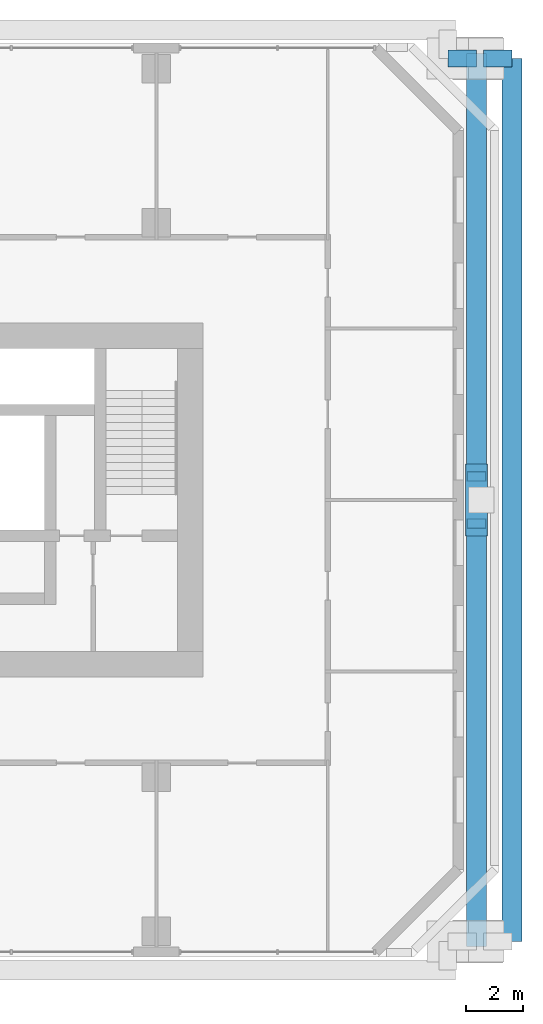
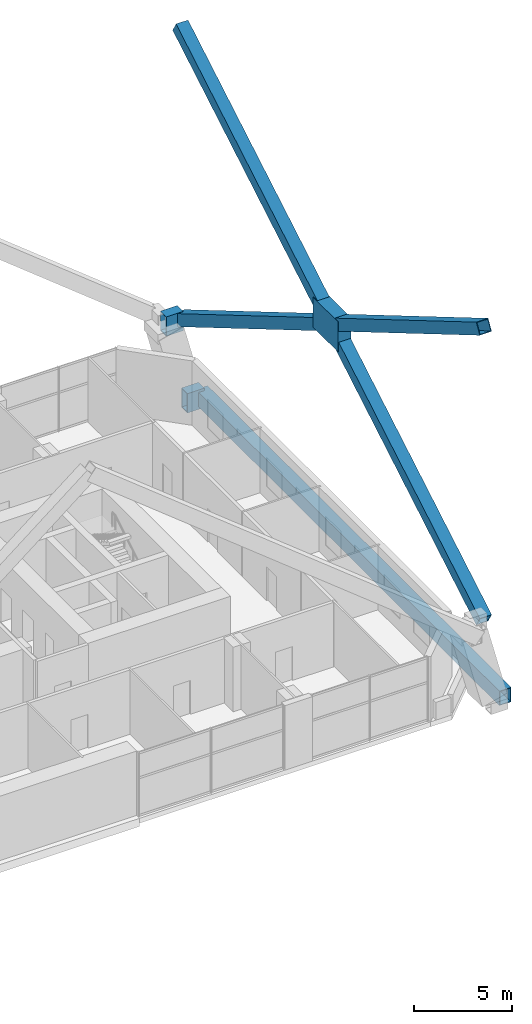
# One storey, part 13 of 25: 5 members, 3 beams.
"""IFC4 building model written with IfcOpenShell, lengths in metres."""

from ifc_helpers import new_model, si_unit, direction, frame, origin, origin_2d, place, context, subcontext, project, spatial, rectangle, hollow_rectangle, extrude, material, material_profile, profile_set, type_object, element, save


model = new_model("IFC4")

# Units and contexts
model_context = context("Model", 3, precision=1e-05, world=origin(), true_north=direction((0.0, 1.0)))
body_context = subcontext(model_context, "Body", "Model", "MODEL_VIEW")
ifc_project = project(units=[si_unit("LENGTHUNIT", "METRE"), si_unit("AREAUNIT", "SQUARE_METRE"), si_unit("VOLUMEUNIT", "CUBIC_METRE"), si_unit("PLANEANGLEUNIT", "RADIAN"), si_unit("MASSUNIT", "GRAM", prefix="KILO")], contexts=[model_context])

# Site, building, storey
site_placement = place(None, origin())
site = spatial("IfcSite", under=ifc_project, at=site_placement, CompositionType="ELEMENT")
building_placement = place(site_placement, origin())
building = spatial("IfcBuilding", under=site, at=building_placement, Name="Tuart Gate Housing", CompositionType="ELEMENT")
storey_placement = place(building_placement, frame((0.0, 0.0, 14.699951171875)))
storey = spatial("IfcBuildingStorey", under=building, at=storey_placement, Name="L03", CompositionType="ELEMENT", Elevation=14.699951171875)

# Member
ifc_material_1 = material(Name="Steel Grade 350", Category="steel")
ifc_material_profile_1 = material_profile(ifc_material_1, rectangle(XDim=2.537109375, YDim=1.864013671875, at=origin_2d()), Name="Brace node plate 2537 x 1864")
ifc_profile_set_1 = profile_set([ifc_material_profile_1], Name="Steel Grade 350")
member_type_1 = type_object("IfcMemberType", Name="Brace node plate 2537 x 1864", PredefinedType="PLATE", material=ifc_profile_set_1)
member_placement = place(storey_placement, frame((177.81494140625, 70.0, 13.900146484375), z_axis=(1.0, 0.0, 0.0), x_axis=(0.0, 1.0, 0.0)))
element("IfcMember", 1, at=member_placement, inside=storey, type_object=member_type_1, Name="Brace node B zone 1 east", PredefinedType="PLATE", context=body_context, shape_type="SweptSolid", body=[
    extrude(rectangle(XDim=2.537109375, YDim=1.864013671875, at=origin_2d()), origin(), (0.0, 0.0, 1.0), 0.77001953125),
])

# Beams
ifc_material_2 = material(Name="Steel Grade 350", Category="steel")
ifc_material_profile_2 = material_profile(ifc_material_2, hollow_rectangle(XDim=0.60009765625, YDim=1.199951171875, WallThickness=0.0400390625, at=origin_2d()), Name="BOX 1200x600x40")
ifc_profile_set_2 = profile_set([ifc_material_profile_2], Name="Steel Grade 350")
beam_type_1 = type_object("IfcBeamType", Name="Brace shoe BOX 1200x600x40", PredefinedType="BEAM", material=ifc_profile_set_2)
for number, where, z_axis, x_axis, name in (
    (2, (178.449951171875, 85.449951171875, -0.39990234375), (1.0, 0.0, 0.0), (0.0, 1.0, 0.0), "Mega tie beam B node 0 east shoe 1 L03"),
    (3, (177.199951171875, 85.449951171875, 4.800048828125), (1.0, 0.0, 0.0), (0.0, 1.0, 0.0), "Mega brace shoe B zone 1 east cross 2"),
):
    element("IfcBeam", number, at=place(storey_placement, frame(where, z_axis=z_axis, x_axis=x_axis)), inside=storey, type_object=beam_type_1, Name=name, PredefinedType="BEAM", context=body_context, shape_type="SweptSolid", body=[
        extrude(hollow_rectangle(XDim=0.60009765625, YDim=1.199951171875, WallThickness=0.0400390625, at=origin_2d()), origin(), (0.0, 0.0, 1.0), 1.0),
    ])

# Members
ifc_material_3 = material(Name="Steel Grade 350", Category="steel")
ifc_material_profile_3 = material_profile(ifc_material_3, hollow_rectangle(XDim=0.699951171875, YDim=0.699951171875, WallThickness=0.034912109375, at=origin_2d()), Name="BOX 700x700x35")
ifc_profile_set_3 = profile_set([ifc_material_profile_3], Name="Steel Grade 350")
member_type_2 = type_object("IfcMemberType", Name="Mega brace BOX 700x700x35", PredefinedType="BRACE", material=ifc_profile_set_3)
for number, where, z_axis, x_axis, name in (
    (4, (178.199951171875, 54.550048828125, 4.800048828125), (0.0, 0.861644676374, 0.507512021214), (-1.0, 0.0, 0.0), "Mega brace B zone 1 east cross 1 a"),
    (5, (178.199951171875, 70.818603515625, 14.382080078125), (0.0, 0.861644676374, 0.507512021214), (-1.0, 0.0, 0.0), "Mega brace B zone 1 east cross 1 b"),
    (6, (178.199951171875, 85.449951171875, 4.800048828125), (0.0, -0.861644676374, 0.507512021214), (1.0, 0.0, 0.0), "Mega brace B zone 1 east cross 2 a"),
    (7, (178.199951171875, 69.181396484375, 14.382080078125), (0.0, -0.861644676374, 0.507512021214), (1.0, 0.0, 0.0), "Mega brace B zone 1 east cross 2 b"),
):
    element("IfcMember", number, at=place(storey_placement, frame(where, z_axis=z_axis, x_axis=x_axis)), inside=storey, type_object=member_type_2, Name=name, PredefinedType="BRACE", context=body_context, shape_type="SweptSolid", body=[
        extrude(hollow_rectangle(XDim=0.699951171875, YDim=0.699951171875, WallThickness=0.034912109375, at=origin_2d()), origin(), (0.0, 0.0, 1.0), 16.980712890625),
    ])

# Beam
ifc_material_4 = material(Name="Steel Grade 350", Category="steel")
ifc_material_profile_4 = material_profile(ifc_material_4, hollow_rectangle(XDim=0.699951171875, YDim=0.89990234375, WallThickness=0.0400390625, at=origin_2d()), Name="BOX 900x700x40")
ifc_profile_set_4 = profile_set([ifc_material_profile_4], Name="Steel Grade 350")
beam_type_2 = type_object("IfcBeamType", Name="Tie beam BOX 900x700x40", PredefinedType="BEAM", material=ifc_profile_set_4)
beam_placement = place(storey_placement, frame((179.449951171875, 54.550048828125, -0.39990234375), z_axis=(0.0, 1.0, 0.0), x_axis=(-1.0, 0.0, 0.0)))
element("IfcBeam", 8, at=beam_placement, inside=storey, type_object=beam_type_2, Name="Mega tie beam B node 0 east L03", PredefinedType="BEAM", context=body_context, shape_type="SweptSolid", body=[
    extrude(hollow_rectangle(XDim=0.699951171875, YDim=0.89990234375, WallThickness=0.0400390625, at=origin_2d()), origin(), (0.0, 0.0, 1.0), 30.89990234375),
])

save(model, "model.ifc")
